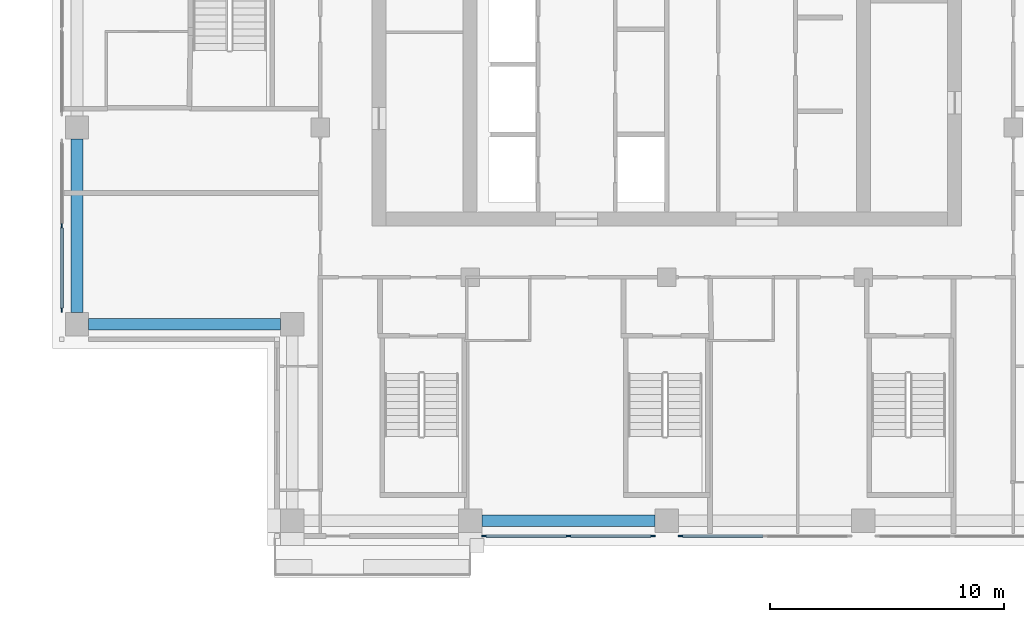
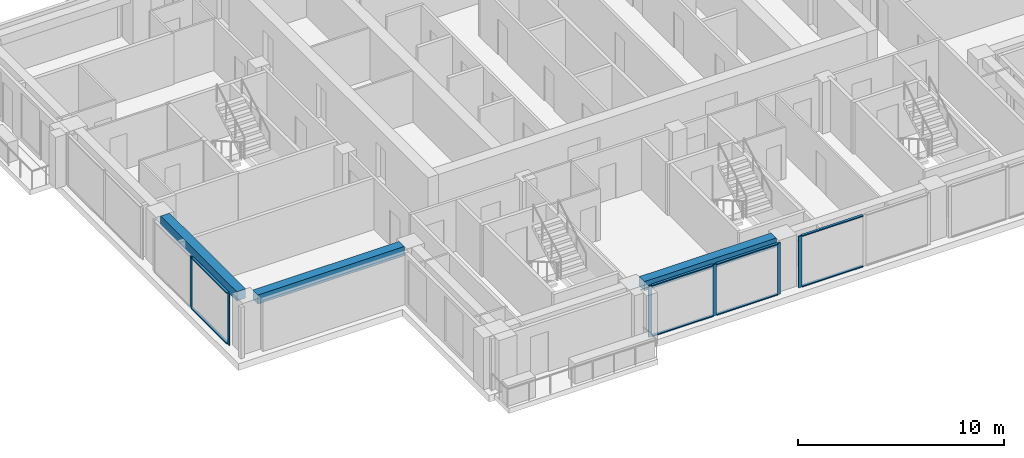
# One storey, part 2 of 16: 14 members, 3 beams, 3 elements without a shape of their own.
"""IFC4 building model written with IfcOpenShell, lengths in metres."""

from ifc_helpers import new_model, si_unit, direction, frame, origin, origin_2d, place, context, subcontext, project, spatial, rectangle, extrude, material, material_profile, profile_set, type_object, element, aggregate, save


model = new_model("IFC4")

# Units and contexts
model_context = context("Model", 3, precision=1e-05, world=origin(), true_north=direction((0.0, 1.0)))
body_context = subcontext(model_context, "Body", "Model", "MODEL_VIEW")
ifc_project = project(units=[si_unit("LENGTHUNIT", "METRE"), si_unit("AREAUNIT", "SQUARE_METRE"), si_unit("VOLUMEUNIT", "CUBIC_METRE"), si_unit("PLANEANGLEUNIT", "RADIAN"), si_unit("MASSUNIT", "GRAM", prefix="KILO")], contexts=[model_context])

# Site, building, storey
site_placement = place(None, origin())
site = spatial("IfcSite", under=ifc_project, at=site_placement, CompositionType="ELEMENT")
building_placement = place(site_placement, origin())
building = spatial("IfcBuilding", under=site, at=building_placement, Name="Vermilion Ogive Tower", CompositionType="ELEMENT")
storey_placement = place(building_placement, frame((0.0, 0.0, 182.449951171875)))
storey = spatial("IfcBuildingStorey", under=building, at=storey_placement, Name="L47", CompositionType="ELEMENT", Elevation=182.449951171875)

# Curtain wall, members
ifc_material_1 = material(Name="Low-iron laminated glazing in aluminium frame", Category="aluminium")
curtain_wall_type = type_object("IfcCurtainWallType", Name="Curtain wall CW7", PredefinedType="NOTDEFINED", material=ifc_material_1)
curtain_wall_1_placement = place(storey_placement, origin())
curtain_wall_1 = element("IfcCurtainWall", 1, at=curtain_wall_1_placement, inside=storey, type_object=curtain_wall_type, Name="Glazed skin S2", PredefinedType="NOTDEFINED")
ifc_material_2 = material(Name="Aluminium mullion", Category="aluminium")
ifc_material_profile_1 = material_profile(ifc_material_2, rectangle(XDim=0.06005859375, YDim=0.179931640625, at=origin_2d()), Name="AL 60x180")
ifc_profile_set_1 = profile_set([ifc_material_profile_1], Name="Aluminium mullion")
member_type_1 = type_object("IfcMemberType", Name="CW7 mullion 60x180", PredefinedType="MULLION", material=ifc_profile_set_1)
member_1_placement = place(storey_placement, frame((-7.81005859375, -21.64990234375, 0.0), z_axis=(0.0, 0.0, 1.0), x_axis=(0.0, 1.0, 0.0)))
member_1 = element("IfcMember", 2, at=member_1_placement, type_object=member_type_1, Name="CW7-S2 mullion 1", PredefinedType="MULLION", context=body_context, shape_type="SweptSolid", body=[
    extrude(rectangle(XDim=0.06005859375, YDim=0.179931640625, at=origin_2d()), origin(), (0.0, 0.0, 1.0), 3.050048828125),
])
member_2_placement = place(storey_placement, frame((-4.199951171875, -21.64990234375, 0.0), z_axis=(0.0, 0.0, 1.0), x_axis=(0.0, 1.0, 0.0)))
member_2 = element("IfcMember", 3, at=member_2_placement, type_object=member_type_1, Name="CW7-S2 mullion 2", PredefinedType="MULLION", context=body_context, shape_type="SweptSolid", body=[
    extrude(rectangle(XDim=0.06005859375, YDim=0.179931640625, at=origin_2d()), origin(), (0.0, 0.0, 1.0), 3.050048828125),
])
member_3_placement = place(storey_placement, frame((-0.590087890625, -21.64990234375, 0.0), z_axis=(0.0, 0.0, 1.0), x_axis=(0.0, 1.0, 0.0)))
member_3 = element("IfcMember", 4, at=member_3_placement, type_object=member_type_1, Name="CW7-S2 mullion 3", PredefinedType="MULLION", context=body_context, shape_type="SweptSolid", body=[
    extrude(rectangle(XDim=0.06005859375, YDim=0.179931640625, at=origin_2d()), origin(), (0.0, 0.0, 1.0), 3.050048828125),
])

# Curtain wall, member
curtain_wall_2_placement = place(storey_placement, origin())
curtain_wall_2 = element("IfcCurtainWall", 5, at=curtain_wall_2_placement, inside=storey, type_object=curtain_wall_type, Name="Glazed skin S3", PredefinedType="NOTDEFINED")
member_4_placement = place(storey_placement, frame((0.590087890625, -21.64990234375, 0.0), z_axis=(0.0, 0.0, 1.0), x_axis=(0.0, 1.0, 0.0)))
member_4 = element("IfcMember", 6, at=member_4_placement, type_object=member_type_1, Name="CW7-S3 mullion 1", PredefinedType="MULLION", context=body_context, shape_type="SweptSolid", body=[
    extrude(rectangle(XDim=0.06005859375, YDim=0.179931640625, at=origin_2d()), origin(), (0.0, 0.0, 1.0), 3.050048828125),
])

# Curtain wall, members
curtain_wall_3_placement = place(storey_placement, origin())
curtain_wall_3 = element("IfcCurtainWall", 7, at=curtain_wall_3_placement, inside=storey, type_object=curtain_wall_type, Name="Glazed skin W3", PredefinedType="NOTDEFINED")
member_5_placement = place(storey_placement, frame((-25.85009765625, -8.39990234375, 0.0), z_axis=(0.0, 0.0, 1.0), x_axis=(1.0, 0.0, 0.0)))
member_5 = element("IfcMember", 8, at=member_5_placement, type_object=member_type_1, Name="CW7-W3 mullion 2", PredefinedType="MULLION", context=body_context, shape_type="SweptSolid", body=[
    extrude(rectangle(XDim=0.06005859375, YDim=0.179931640625, at=origin_2d()), origin(), (0.0, 0.0, 1.0), 3.050048828125),
])
member_6_placement = place(storey_placement, frame((-25.85009765625, -12.010009765625, 0.0), z_axis=(0.0, 0.0, 1.0), x_axis=(1.0, 0.0, 0.0)))
member_6 = element("IfcMember", 9, at=member_6_placement, type_object=member_type_1, Name="CW7-W3 mullion 3", PredefinedType="MULLION", context=body_context, shape_type="SweptSolid", body=[
    extrude(rectangle(XDim=0.06005859375, YDim=0.179931640625, at=origin_2d()), origin(), (0.0, 0.0, 1.0), 3.050048828125),
])

# Member
ifc_material_3 = material(Name="Aluminium transom", Category="aluminium")
ifc_material_profile_2 = material_profile(ifc_material_3, rectangle(XDim=0.139892578125, YDim=0.06005859375, at=origin_2d()), Name="AL 60x140")
ifc_profile_set_2 = profile_set([ifc_material_profile_2], Name="Aluminium transom")
member_type_2 = type_object("IfcMemberType", Name="CW7 transom 60x140", PredefinedType="USERDEFINED", material=ifc_profile_set_2)
member_7_placement = place(storey_placement, frame((-7.719970703125, -21.64990234375, 0.030029296875), z_axis=(1.0, 0.0, 0.0), x_axis=(0.0, 1.0, 0.0)))
member_7 = element("IfcMember", 10, at=member_7_placement, type_object=member_type_2, Name="CW7-S2 transom 1.1", ObjectType="TRANSOM", PredefinedType="USERDEFINED", context=body_context, shape_type="SweptSolid", body=[
    extrude(rectangle(XDim=0.139892578125, YDim=0.06005859375, at=origin_2d()), origin(), (0.0, 0.0, 1.0), 3.429931640625),
])

member_8_placement = place(storey_placement, frame((-7.719970703125, -21.64990234375, 3.02001953125), z_axis=(1.0, 0.0, 0.0), x_axis=(0.0, 1.0, 0.0)))
member_8 = element("IfcMember", 11, at=member_8_placement, type_object=member_type_2, Name="CW7-S2 transom 1.2", ObjectType="TRANSOM", PredefinedType="USERDEFINED", context=body_context, shape_type="SweptSolid", body=[
    extrude(rectangle(XDim=0.139892578125, YDim=0.06005859375, at=origin_2d()), origin(), (0.0, 0.0, 1.0), 3.429931640625),
])

member_9_placement = place(storey_placement, frame((-4.110107421875, -21.64990234375, 0.030029296875), z_axis=(1.0, 0.0, 0.0), x_axis=(0.0, 1.0, 0.0)))
member_9 = element("IfcMember", 12, at=member_9_placement, type_object=member_type_2, Name="CW7-S2 transom 2.1", ObjectType="TRANSOM", PredefinedType="USERDEFINED", context=body_context, shape_type="SweptSolid", body=[
    extrude(rectangle(XDim=0.139892578125, YDim=0.06005859375, at=origin_2d()), origin(), (0.0, 0.0, 1.0), 3.43017578125),
])

member_10_placement = place(storey_placement, frame((-4.110107421875, -21.64990234375, 3.02001953125), z_axis=(1.0, 0.0, 0.0), x_axis=(0.0, 1.0, 0.0)))
member_10 = element("IfcMember", 13, at=member_10_placement, type_object=member_type_2, Name="CW7-S2 transom 2.2", ObjectType="TRANSOM", PredefinedType="USERDEFINED", context=body_context, shape_type="SweptSolid", body=[
    extrude(rectangle(XDim=0.139892578125, YDim=0.06005859375, at=origin_2d()), origin(), (0.0, 0.0, 1.0), 3.43017578125),
])

aggregate(curtain_wall_1, [member_1, member_2, member_3, member_7, member_8, member_9, member_10])

member_11_placement = place(storey_placement, frame((0.679931640625, -21.64990234375, 0.030029296875), z_axis=(1.0, 0.0, 0.0), x_axis=(0.0, 1.0, 0.0)))
member_11 = element("IfcMember", 14, at=member_11_placement, type_object=member_type_2, Name="CW7-S3 transom 1.1", ObjectType="TRANSOM", PredefinedType="USERDEFINED", context=body_context, shape_type="SweptSolid", body=[
    extrude(rectangle(XDim=0.139892578125, YDim=0.06005859375, at=origin_2d()), origin(), (0.0, 0.0, 1.0), 3.43017578125),
])

member_12_placement = place(storey_placement, frame((0.679931640625, -21.64990234375, 3.02001953125), z_axis=(1.0, 0.0, 0.0), x_axis=(0.0, 1.0, 0.0)))
member_12 = element("IfcMember", 15, at=member_12_placement, type_object=member_type_2, Name="CW7-S3 transom 1.2", ObjectType="TRANSOM", PredefinedType="USERDEFINED", context=body_context, shape_type="SweptSolid", body=[
    extrude(rectangle(XDim=0.139892578125, YDim=0.06005859375, at=origin_2d()), origin(), (0.0, 0.0, 1.0), 3.43017578125),
])

aggregate(curtain_wall_2, [member_4, member_11, member_12])

member_13_placement = place(storey_placement, frame((-25.85009765625, -8.489990234375, 0.030029296875), z_axis=(0.0, -1.0, 0.0), x_axis=(1.0, 0.0, 0.0)))
member_13 = element("IfcMember", 16, at=member_13_placement, type_object=member_type_2, Name="CW7-W3 transom 2.1", ObjectType="TRANSOM", PredefinedType="USERDEFINED", context=body_context, shape_type="SweptSolid", body=[
    extrude(rectangle(XDim=0.139892578125, YDim=0.06005859375, at=origin_2d()), origin(), (0.0, 0.0, 1.0), 3.429931640625),
])

member_14_placement = place(storey_placement, frame((-25.85009765625, -8.489990234375, 3.02001953125), z_axis=(0.0, -1.0, 0.0), x_axis=(1.0, 0.0, 0.0)))
member_14 = element("IfcMember", 17, at=member_14_placement, type_object=member_type_2, Name="CW7-W3 transom 2.2", ObjectType="TRANSOM", PredefinedType="USERDEFINED", context=body_context, shape_type="SweptSolid", body=[
    extrude(rectangle(XDim=0.139892578125, YDim=0.06005859375, at=origin_2d()), origin(), (0.0, 0.0, 1.0), 3.429931640625),
])

aggregate(curtain_wall_3, [member_5, member_6, member_13, member_14])

# Beams
ifc_material_4 = material(Name="Concrete B45", Category="concrete")
ifc_material_profile_3 = material_profile(ifc_material_4, rectangle(XDim=0.5, YDim=0.550048828125, at=origin_2d()), Name="500 x 550")
ifc_profile_set_3 = profile_set([ifc_material_profile_3], Name="Concrete B45")
beam_type = type_object("IfcBeamType", Name="Edge beam 500 x 550 B45", PredefinedType="BEAM", material=ifc_profile_set_3)
beam_1_placement = place(storey_placement, frame((-7.89990234375, -21.0, 2.775146484375), z_axis=(1.0, 0.0, 0.0), x_axis=(0.0, 1.0, 0.0)))
element("IfcBeam", 18, at=beam_1_placement, inside=storey, type_object=beam_type, Name="L47-EB-2", PredefinedType="BEAM", context=body_context, shape_type="SweptSolid", body=[
    extrude(rectangle(XDim=0.5, YDim=0.550048828125, at=origin_2d()), origin(), (0.0, 0.0, 1.0), 7.39990234375),
])
beam_2_placement = place(storey_placement, frame((-25.199951171875, -4.699951171875, 2.775146484375), z_axis=(0.0, -1.0, 0.0), x_axis=(1.0, 0.0, 0.0)))
element("IfcBeam", 19, at=beam_2_placement, inside=storey, type_object=beam_type, Name="L47-EB-16", PredefinedType="BEAM", context=body_context, shape_type="SweptSolid", body=[
    extrude(rectangle(XDim=0.5, YDim=0.550048828125, at=origin_2d()), origin(), (0.0, 0.0, 1.0), 7.400146484375),
])
beam_3_placement = place(storey_placement, frame((-24.699951171875, -12.60009765625, 2.775146484375), z_axis=(1.0, 0.0, 0.0), x_axis=(0.0, 1.0, 0.0)))
element("IfcBeam", 20, at=beam_3_placement, inside=storey, type_object=beam_type, Name="L47-EB-17", PredefinedType="BEAM", context=body_context, shape_type="SweptSolid", body=[
    extrude(rectangle(XDim=0.5, YDim=0.550048828125, at=origin_2d()), origin(), (0.0, 0.0, 1.0), 8.199951171875),
])

save(model, "model.ifc")
